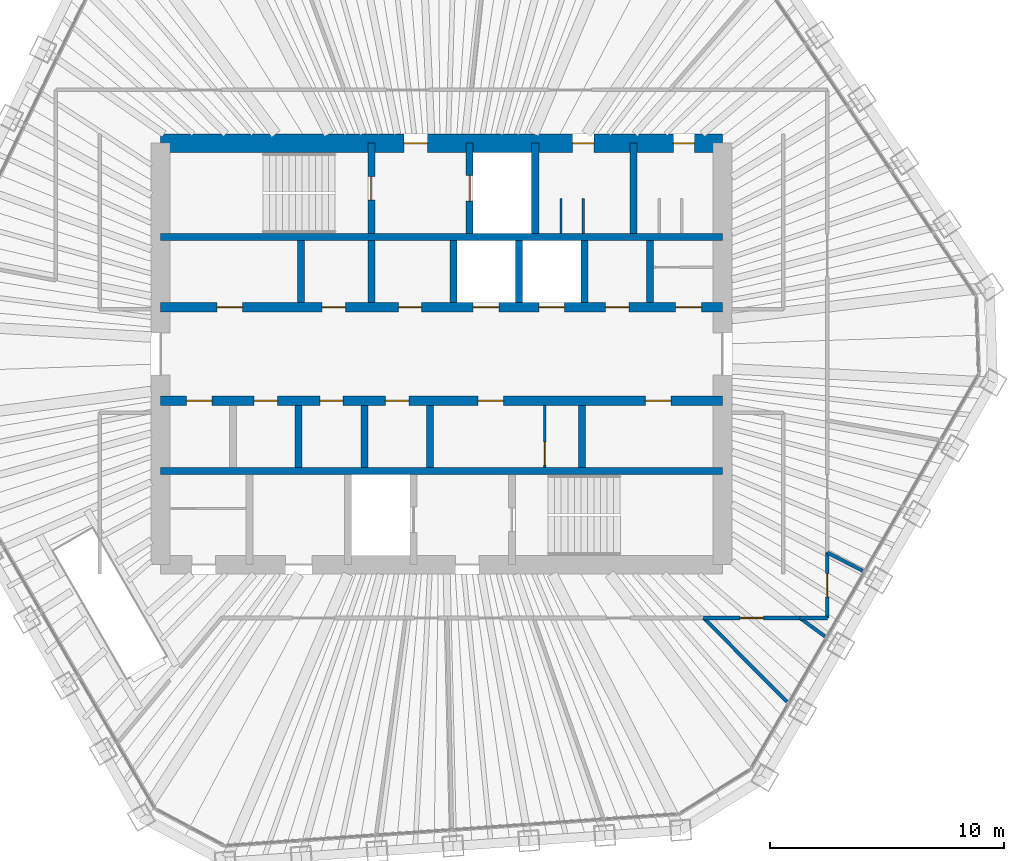
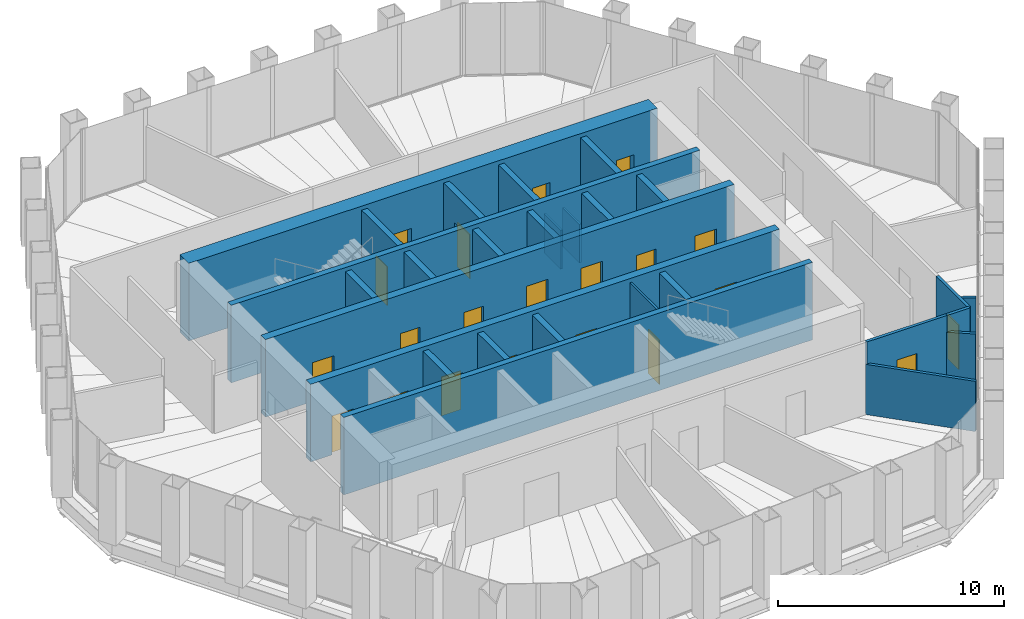
# One storey, part 12 of 14: 28 walls, 21 doors, 21 openings.
"""IFC4 building model written with IfcOpenShell, lengths in metres."""

from ifc_helpers import new_model, si_unit, direction, frame, frame_2d, origin, place, context, subcontext, project, spatial, rectangle, extrude, material, layer, layer_set, type_object, element, fill, save


model = new_model("IFC4")

# Units and contexts
model_context = context("Model", 3, precision=1e-05, world=origin(), true_north=direction((0.0, 1.0)))
body_context = subcontext(model_context, "Body", "Model", "MODEL_VIEW")
ifc_project = project(units=[si_unit("LENGTHUNIT", "METRE"), si_unit("AREAUNIT", "SQUARE_METRE"), si_unit("VOLUMEUNIT", "CUBIC_METRE"), si_unit("PLANEANGLEUNIT", "RADIAN"), si_unit("MASSUNIT", "GRAM", prefix="KILO")], contexts=[model_context])

# Site, building, storey
site_placement = place(None, origin())
site = spatial("IfcSite", under=ifc_project, at=site_placement, CompositionType="ELEMENT")
building_placement = place(site_placement, origin())
building = spatial("IfcBuilding", under=site, at=building_placement, Name="Qingtian Harvest Tower", CompositionType="ELEMENT")
storey_placement = place(building_placement, frame((0.0, 0.0, 333.39990234375)))
storey = spatial("IfcBuildingStorey", under=building, at=storey_placement, Name="L74", CompositionType="ELEMENT", Elevation=333.39990234375)

# Walls
ifc_material_1 = material(Name="Concrete fc' 70 MPa", Category="concrete")
ifc_layer_1 = layer(ifc_material_1, 0.300048828125)
ifc_layer_set_1 = layer_set([ifc_layer_1], Name="Core inner wall RC5 300")
wall_type_1 = type_object("IfcWallType", Name="Core inner wall RC5 300", PredefinedType="SHEAR", material=ifc_layer_set_1)
for number, where, z_axis, x_axis, name in (
    (1, (-12.0, 5.0, 0.0), (0.0, 0.0, 1.0), (1.0, 0.0, 0.0), "Core wall IN5 L74"),
    (2, (-12.0, -5.0, 0.0), (0.0, 0.0, 1.0), (1.0, 0.0, 0.0), "Core wall IS5 L74"),
):
    element("IfcWall", number, at=place(storey_placement, frame(where, z_axis=z_axis, x_axis=x_axis)), inside=storey, type_object=wall_type_1, Name=name, PredefinedType="SHEAR", context=body_context, shape_type="SweptSolid", body=[
        extrude(rectangle(XDim=24.0, YDim=0.300048828125, at=frame_2d((12.0, 0.0))), origin(), (0.0, 0.0, 1.0), 4.2001953125),
    ])

# Wall, openings, doors
ifc_material_2 = material(Name="Concrete fc' 70 MPa", Category="concrete")
ifc_layer_2 = layer(ifc_material_2, 0.39990234375)
ifc_layer_set_2 = layer_set([ifc_layer_2], Name="Core inner web RC6 400")
wall_type_2 = type_object("IfcWallType", Name="Core inner web RC6 400", PredefinedType="SHEAR", material=ifc_layer_set_2)
wall_1_placement = place(storey_placement, frame((-12.0, 2.0, 0.0), z_axis=(0.0, 0.0, 1.0), x_axis=(1.0, 0.0, 0.0)))
wall_1 = element("IfcWall", 3, at=wall_1_placement, inside=storey, type_object=wall_type_2, Name="Core wall IN2 L74", PredefinedType="SHEAR", context=body_context, shape_type="SweptSolid", body=[
    extrude(rectangle(XDim=24.0, YDim=0.39990234375, at=frame_2d((12.0, 0.0))), origin(), (0.0, 0.0, 1.0), 4.2001953125),
])
opening_1_placement = place(wall_1_placement, frame((2.39990234375, 0.0, 0.0)))
opening_1 = element("IfcOpeningElement", 4, at=opening_1_placement, cuts=wall_1, Name="Opening FD4", PredefinedType="OPENING", context=body_context, shape_type="SweptSolid", body=[
    extrude(rectangle(XDim=1.10009765625, YDim=2.10009765625, at=frame_2d((0.550048828125, 1.050048828125))), frame((0.0, 0.2099609375, 0.0), z_axis=(0.0, -1.0, 0.0), x_axis=(1.0, 0.0, 0.0)), (0.0, 0.0, 1.0), 0.419921875),
])
opening_2_placement = place(wall_1_placement, frame((22.0, 0.0, 0.0)))
opening_2 = element("IfcOpeningElement", 5, at=opening_2_placement, cuts=wall_1, Name="Opening FD4", PredefinedType="OPENING", context=body_context, shape_type="SweptSolid", body=[
    extrude(rectangle(XDim=1.10009765625, YDim=2.10009765625, at=frame_2d((0.550048828125, 1.050048828125))), frame((0.0, 0.2099609375, 0.0), z_axis=(0.0, -1.0, 0.0), x_axis=(1.0, 0.0, 0.0)), (0.0, 0.0, 1.0), 0.419921875),
])
opening_3_placement = place(wall_1_placement, frame((10.14990234375, 0.0, 0.0)))
opening_3 = element("IfcOpeningElement", 6, at=opening_3_placement, cuts=wall_1, Name="Opening FD1", PredefinedType="OPENING", context=body_context, shape_type="SweptSolid", body=[
    extrude(rectangle(XDim=1.0, YDim=2.10009765625, at=frame_2d((0.5, 1.050048828125))), frame((0.0, 0.2099609375, 0.0), z_axis=(0.0, -1.0, 0.0), x_axis=(1.0, 0.0, 0.0)), (0.0, 0.0, 1.0), 0.419921875),
])
opening_4_placement = place(wall_1_placement, frame((6.89990234375, 0.0, 0.0)))
opening_4 = element("IfcOpeningElement", 7, at=opening_4_placement, cuts=wall_1, Name="Opening FD1", PredefinedType="OPENING", context=body_context, shape_type="SweptSolid", body=[
    extrude(rectangle(XDim=1.0, YDim=2.10009765625, at=frame_2d((0.5, 1.050048828125))), frame((0.0, 0.2099609375, 0.0), z_axis=(0.0, -1.0, 0.0), x_axis=(1.0, 0.0, 0.0)), (0.0, 0.0, 1.0), 0.419921875),
])
opening_5_placement = place(wall_1_placement, frame((13.35009765625, 0.0, 0.0)))
opening_5 = element("IfcOpeningElement", 8, at=opening_5_placement, cuts=wall_1, Name="Opening LD1", PredefinedType="OPENING", context=body_context, shape_type="SweptSolid", body=[
    extrude(rectangle(XDim=1.10009765625, YDim=2.39990234375, at=frame_2d((0.550048828125, 1.199951171875))), frame((0.0, 0.2099609375, 0.0), z_axis=(0.0, -1.0, 0.0), x_axis=(1.0, 0.0, 0.0)), (0.0, 0.0, 1.0), 0.419921875),
])
opening_6_placement = place(wall_1_placement, frame((16.14990234375, 0.0, 0.0)))
opening_6 = element("IfcOpeningElement", 9, at=opening_6_placement, cuts=wall_1, Name="Opening LD1", PredefinedType="OPENING", context=body_context, shape_type="SweptSolid", body=[
    extrude(rectangle(XDim=1.10009765625, YDim=2.39990234375, at=frame_2d((0.550048828125, 1.199951171875))), frame((0.0, 0.2099609375, 0.0), z_axis=(0.0, -1.0, 0.0), x_axis=(1.0, 0.0, 0.0)), (0.0, 0.0, 1.0), 0.419921875),
])
opening_7_placement = place(wall_1_placement, frame((19.0, 0.0, 0.0)))
opening_7 = element("IfcOpeningElement", 10, at=opening_7_placement, cuts=wall_1, Name="Opening FD1", PredefinedType="OPENING", context=body_context, shape_type="SweptSolid", body=[
    extrude(rectangle(XDim=1.0, YDim=2.10009765625, at=frame_2d((0.5, 1.050048828125))), frame((0.0, 0.2099609375, 0.0), z_axis=(0.0, -1.0, 0.0), x_axis=(1.0, 0.0, 0.0)), (0.0, 0.0, 1.0), 0.419921875),
])
ifc_material_3 = material(Name="Steel-faced door leaf", Category="steel")
door_type_1 = type_object("IfcDoorType", Name="Fire door FD1 single 1 HR", OperationType="SINGLE_SWING_LEFT", PredefinedType="DOOR", material=ifc_material_3)
door_1_placement = place(opening_3_placement, origin())
door_1 = element("IfcDoor", 11, at=door_1_placement, inside=storey, type_object=door_type_1, Name="STA door L74", OperationType="SINGLE_SWING_LEFT", OverallHeight=2.10009765625, OverallWidth=1.0, PredefinedType="DOOR", context=body_context, shape_type="SweptSolid", body=[
    extrude(rectangle(XDim=1.0, YDim=2.10009765625, at=frame_2d((0.5, 1.050048828125))), frame((0.0, 0.02490234375, 0.0), z_axis=(0.0, -1.0, 0.0), x_axis=(1.0, 0.0, 0.0)), (0.0, 0.0, 1.0), 0.050048828125),
])
fill(opening_3, door_1)
door_2_placement = place(opening_4_placement, origin())
door_2 = element("IfcDoor", 12, at=door_2_placement, inside=storey, type_object=door_type_1, Name="Staff WC door L74", OperationType="SINGLE_SWING_LEFT", OverallHeight=2.10009765625, OverallWidth=1.0, PredefinedType="DOOR", context=body_context, shape_type="SweptSolid", body=[
    extrude(rectangle(XDim=1.0, YDim=2.10009765625, at=frame_2d((0.5, 1.050048828125))), frame((0.0, 0.02490234375, 0.0), z_axis=(0.0, -1.0, 0.0), x_axis=(1.0, 0.0, 0.0)), (0.0, 0.0, 1.0), 0.050048828125),
])
fill(opening_4, door_2)
door_3_placement = place(opening_7_placement, origin())
door_3 = element("IfcDoor", 13, at=door_3_placement, inside=storey, type_object=door_type_1, Name="Tool store door L74", OperationType="SINGLE_SWING_LEFT", OverallHeight=2.10009765625, OverallWidth=1.0, PredefinedType="DOOR", context=body_context, shape_type="SweptSolid", body=[
    extrude(rectangle(XDim=1.0, YDim=2.10009765625, at=frame_2d((0.5, 1.050048828125))), frame((0.0, 0.02490234375, 0.0), z_axis=(0.0, -1.0, 0.0), x_axis=(1.0, 0.0, 0.0)), (0.0, 0.0, 1.0), 0.050048828125),
])
fill(opening_7, door_3)
ifc_material_4 = material(Name="Steel-faced door leaf", Category="steel")
door_type_2 = type_object("IfcDoorType", Name="Fire door FD4 single 2 HR", OperationType="SINGLE_SWING_LEFT", PredefinedType="DOOR", material=ifc_material_4)
door_4_placement = place(opening_1_placement, origin())
door_4 = element("IfcDoor", 14, at=door_4_placement, inside=storey, type_object=door_type_2, Name="RA door L74", OperationType="SINGLE_SWING_RIGHT", OverallHeight=2.10009765625, OverallWidth=1.10009765625, PredefinedType="DOOR", context=body_context, shape_type="SweptSolid", body=[
    extrude(rectangle(XDim=1.10009765625, YDim=2.10009765625, at=frame_2d((0.550048828125, 1.050048828125))), frame((0.0, 0.02490234375, 0.0), z_axis=(0.0, -1.0, 0.0), x_axis=(1.0, 0.0, 0.0)), (0.0, 0.0, 1.0), 0.050048828125),
])
fill(opening_1, door_4)
door_5_placement = place(opening_2_placement, origin())
door_5 = element("IfcDoor", 15, at=door_5_placement, inside=storey, type_object=door_type_2, Name="AHU door L74", OperationType="SINGLE_SWING_RIGHT", OverallHeight=2.10009765625, OverallWidth=1.10009765625, PredefinedType="DOOR", context=body_context, shape_type="SweptSolid", body=[
    extrude(rectangle(XDim=1.10009765625, YDim=2.10009765625, at=frame_2d((0.550048828125, 1.050048828125))), frame((0.0, 0.02490234375, 0.0), z_axis=(0.0, -1.0, 0.0), x_axis=(1.0, 0.0, 0.0)), (0.0, 0.0, 1.0), 0.050048828125),
])
fill(opening_2, door_5)
ifc_material_5 = material(Name="Stainless steel lift landing door", Category="steel")
door_type_3 = type_object("IfcDoorType", Name="Lift landing door LD1 1 HR", OperationType="DOUBLE_DOOR_SLIDING", PredefinedType="DOOR", material=ifc_material_5)
door_6_placement = place(opening_5_placement, origin())
door_6 = element("IfcDoor", 16, at=door_6_placement, inside=storey, type_object=door_type_3, Name="PLD1 landing door L74", OperationType="DOUBLE_DOOR_SLIDING", OverallHeight=2.39990234375, OverallWidth=1.10009765625, PredefinedType="DOOR", context=body_context, shape_type="SweptSolid", body=[
    extrude(rectangle(XDim=1.10009765625, YDim=2.39990234375, at=frame_2d((0.550048828125, 1.199951171875))), frame((0.0, 0.02490234375, 0.0), z_axis=(0.0, -1.0, 0.0), x_axis=(1.0, 0.0, 0.0)), (0.0, 0.0, 1.0), 0.050048828125),
])
fill(opening_5, door_6)
door_7_placement = place(opening_6_placement, origin())
door_7 = element("IfcDoor", 17, at=door_7_placement, inside=storey, type_object=door_type_3, Name="PLD2 landing door L74", OperationType="DOUBLE_DOOR_SLIDING", OverallHeight=2.39990234375, OverallWidth=1.10009765625, PredefinedType="DOOR", context=body_context, shape_type="SweptSolid", body=[
    extrude(rectangle(XDim=1.10009765625, YDim=2.39990234375, at=frame_2d((0.550048828125, 1.199951171875))), frame((0.0, 0.02490234375, 0.0), z_axis=(0.0, -1.0, 0.0), x_axis=(1.0, 0.0, 0.0)), (0.0, 0.0, 1.0), 0.050048828125),
])
fill(opening_6, door_7)

wall_2_placement = place(storey_placement, frame((-12.0, -2.0, 0.0), z_axis=(0.0, 0.0, 1.0), x_axis=(1.0, 0.0, 0.0)))
wall_2 = element("IfcWall", 18, at=wall_2_placement, inside=storey, type_object=wall_type_2, Name="Core wall IS2 L74", PredefinedType="SHEAR", context=body_context, shape_type="SweptSolid", body=[
    extrude(rectangle(XDim=24.0, YDim=0.39990234375, at=frame_2d((12.0, 0.0))), origin(), (0.0, 0.0, 1.0), 4.2001953125),
])
opening_8_placement = place(wall_2_placement, frame((1.10009765625, 0.0, 0.0)))
opening_8 = element("IfcOpeningElement", 19, at=opening_8_placement, cuts=wall_2, Name="Opening FD4", PredefinedType="OPENING", context=body_context, shape_type="SweptSolid", body=[
    extrude(rectangle(XDim=1.10009765625, YDim=2.10009765625, at=frame_2d((0.550048828125, 1.050048828125))), frame((0.0, 0.2099609375, 0.0), z_axis=(0.0, -1.0, 0.0), x_axis=(1.0, 0.0, 0.0)), (0.0, 0.0, 1.0), 0.419921875),
])
opening_9_placement = place(wall_2_placement, frame((13.550048828125, 0.0, 0.0)))
opening_9 = element("IfcOpeningElement", 20, at=opening_9_placement, cuts=wall_2, Name="Opening FD4", PredefinedType="OPENING", context=body_context, shape_type="SweptSolid", body=[
    extrude(rectangle(XDim=1.10009765625, YDim=2.10009765625, at=frame_2d((0.550048828125, 1.050048828125))), frame((0.0, 0.2099609375, 0.0), z_axis=(0.0, -1.0, 0.0), x_axis=(1.0, 0.0, 0.0)), (0.0, 0.0, 1.0), 0.419921875),
])
opening_10_placement = place(wall_2_placement, frame((20.699951171875, 0.0, 0.0)))
opening_10 = element("IfcOpeningElement", 21, at=opening_10_placement, cuts=wall_2, Name="Opening FD4", PredefinedType="OPENING", context=body_context, shape_type="SweptSolid", body=[
    extrude(rectangle(XDim=1.10009765625, YDim=2.10009765625, at=frame_2d((0.550048828125, 1.050048828125))), frame((0.0, 0.2099609375, 0.0), z_axis=(0.0, -1.0, 0.0), x_axis=(1.0, 0.0, 0.0)), (0.0, 0.0, 1.0), 0.419921875),
])
opening_11_placement = place(wall_2_placement, frame((4.0, 0.0, 0.0)))
opening_11 = element("IfcOpeningElement", 22, at=opening_11_placement, cuts=wall_2, Name="Opening FD1", PredefinedType="OPENING", context=body_context, shape_type="SweptSolid", body=[
    extrude(rectangle(XDim=1.0, YDim=2.10009765625, at=frame_2d((0.5, 1.050048828125))), frame((0.0, 0.2099609375, 0.0), z_axis=(0.0, -1.0, 0.0), x_axis=(1.0, 0.0, 0.0)), (0.0, 0.0, 1.0), 0.419921875),
])
opening_12_placement = place(wall_2_placement, frame((6.800048828125, 0.0, 0.0)))
opening_12 = element("IfcOpeningElement", 23, at=opening_12_placement, cuts=wall_2, Name="Opening FD1", PredefinedType="OPENING", context=body_context, shape_type="SweptSolid", body=[
    extrude(rectangle(XDim=1.0, YDim=2.10009765625, at=frame_2d((0.5, 1.050048828125))), frame((0.0, 0.2099609375, 0.0), z_axis=(0.0, -1.0, 0.0), x_axis=(1.0, 0.0, 0.0)), (0.0, 0.0, 1.0), 0.419921875),
])
opening_13_placement = place(wall_2_placement, frame((9.60009765625, 0.0, 0.0)))
opening_13 = element("IfcOpeningElement", 24, at=opening_13_placement, cuts=wall_2, Name="Opening FD1", PredefinedType="OPENING", context=body_context, shape_type="SweptSolid", body=[
    extrude(rectangle(XDim=1.0, YDim=2.10009765625, at=frame_2d((0.5, 1.050048828125))), frame((0.0, 0.2099609375, 0.0), z_axis=(0.0, -1.0, 0.0), x_axis=(1.0, 0.0, 0.0)), (0.0, 0.0, 1.0), 0.419921875),
])
door_8_placement = place(opening_11_placement, origin())
door_8 = element("IfcDoor", 25, at=door_8_placement, inside=storey, type_object=door_type_1, Name="Archive store door L74", OperationType="SINGLE_SWING_LEFT", OverallHeight=2.10009765625, OverallWidth=1.0, PredefinedType="DOOR", context=body_context, shape_type="SweptSolid", body=[
    extrude(rectangle(XDim=1.0, YDim=2.10009765625, at=frame_2d((0.5, 1.050048828125))), frame((0.0, 0.02490234375, 0.0), z_axis=(0.0, -1.0, 0.0), x_axis=(1.0, 0.0, 0.0)), (0.0, 0.0, 1.0), 0.050048828125),
])
fill(opening_11, door_8)
door_9_placement = place(opening_12_placement, origin())
door_9 = element("IfcDoor", 26, at=door_9_placement, inside=storey, type_object=door_type_1, Name="Staff WC door L74", OperationType="SINGLE_SWING_LEFT", OverallHeight=2.10009765625, OverallWidth=1.0, PredefinedType="DOOR", context=body_context, shape_type="SweptSolid", body=[
    extrude(rectangle(XDim=1.0, YDim=2.10009765625, at=frame_2d((0.5, 1.050048828125))), frame((0.0, 0.02490234375, 0.0), z_axis=(0.0, -1.0, 0.0), x_axis=(1.0, 0.0, 0.0)), (0.0, 0.0, 1.0), 0.050048828125),
])
fill(opening_12, door_9)
door_10_placement = place(opening_13_placement, origin())
door_10 = element("IfcDoor", 27, at=door_10_placement, inside=storey, type_object=door_type_1, Name="Pantry door L74", OperationType="SINGLE_SWING_LEFT", OverallHeight=2.10009765625, OverallWidth=1.0, PredefinedType="DOOR", context=body_context, shape_type="SweptSolid", body=[
    extrude(rectangle(XDim=1.0, YDim=2.10009765625, at=frame_2d((0.5, 1.050048828125))), frame((0.0, 0.02490234375, 0.0), z_axis=(0.0, -1.0, 0.0), x_axis=(1.0, 0.0, 0.0)), (0.0, 0.0, 1.0), 0.050048828125),
])
fill(opening_13, door_10)
door_11_placement = place(opening_8_placement, origin())
door_11 = element("IfcDoor", 28, at=door_11_placement, inside=storey, type_object=door_type_2, Name="RB door L74", OperationType="SINGLE_SWING_RIGHT", OverallHeight=2.10009765625, OverallWidth=1.10009765625, PredefinedType="DOOR", context=body_context, shape_type="SweptSolid", body=[
    extrude(rectangle(XDim=1.10009765625, YDim=2.10009765625, at=frame_2d((0.550048828125, 1.050048828125))), frame((0.0, 0.02490234375, 0.0), z_axis=(0.0, -1.0, 0.0), x_axis=(1.0, 0.0, 0.0)), (0.0, 0.0, 1.0), 0.050048828125),
])
fill(opening_8, door_11)
door_12_placement = place(opening_9_placement, origin())
door_12 = element("IfcDoor", 29, at=door_12_placement, inside=storey, type_object=door_type_2, Name="ELEC door L74", OperationType="SINGLE_SWING_RIGHT", OverallHeight=2.10009765625, OverallWidth=1.10009765625, PredefinedType="DOOR", context=body_context, shape_type="SweptSolid", body=[
    extrude(rectangle(XDim=1.10009765625, YDim=2.10009765625, at=frame_2d((0.550048828125, 1.050048828125))), frame((0.0, 0.02490234375, 0.0), z_axis=(0.0, -1.0, 0.0), x_axis=(1.0, 0.0, 0.0)), (0.0, 0.0, 1.0), 0.050048828125),
])
fill(opening_9, door_12)
door_13_placement = place(opening_10_placement, origin())
door_13 = element("IfcDoor", 30, at=door_13_placement, inside=storey, type_object=door_type_2, Name="DUCT door L74", OperationType="SINGLE_SWING_LEFT", OverallHeight=2.10009765625, OverallWidth=1.10009765625, PredefinedType="DOOR", context=body_context, shape_type="SweptSolid", body=[
    extrude(rectangle(XDim=1.10009765625, YDim=2.10009765625, at=frame_2d((0.550048828125, 1.050048828125))), frame((0.0, 0.02490234375, 0.0), z_axis=(0.0, -1.0, 0.0), x_axis=(1.0, 0.0, 0.0)), (0.0, 0.0, 1.0), 0.050048828125),
])
fill(opening_10, door_13)

# Wall, opening, door
ifc_material_6 = material(Name="Precast concrete shaft panel", Category="concrete")
ifc_layer_3 = layer(ifc_material_6, 0.300048828125)
ifc_layer_set_3 = layer_set([ifc_layer_3], Name="Core shaft partition SW1 300")
wall_type_3 = type_object("IfcWallType", Name="Core shaft partition SW1 300", PredefinedType="PARTITIONING", material=ifc_layer_set_3)
wall_3_placement = place(storey_placement, frame((-3.0, 5.14990234375, 0.0), z_axis=(0.0, 0.0, 1.0), x_axis=(0.0, 1.0, 0.0)))
wall_3 = element("IfcWall", 31, at=wall_3_placement, inside=storey, type_object=wall_type_3, Name="Core shaft partition XN1 L74", PredefinedType="PARTITIONING", context=body_context, shape_type="SweptSolid", body=[
    extrude(rectangle(XDim=3.85009765625, YDim=0.300048828125, at=frame_2d((1.925048828125, 0.0))), origin(), (0.0, 0.0, 1.0), 3.97998046875),
])
opening_14_placement = place(wall_3_placement, frame((1.425048828125, 0.0, 0.0)))
opening_14 = element("IfcOpeningElement", 32, at=opening_14_placement, cuts=wall_3, Name="Opening FD1", PredefinedType="OPENING", context=body_context, shape_type="SweptSolid", body=[
    extrude(rectangle(XDim=1.0, YDim=2.10009765625, at=frame_2d((0.5, 1.050048828125))), frame((0.0, 0.159912109375, 0.0), z_axis=(0.0, -1.0, 0.0), x_axis=(1.0, 0.0, 0.0)), (0.0, 0.0, 1.0), 0.320068359375),
])
door_14_placement = place(opening_14_placement, origin())
door_14 = element("IfcDoor", 33, at=door_14_placement, inside=storey, type_object=door_type_1, Name="S1 door L74", OperationType="SINGLE_SWING_RIGHT", OverallHeight=2.10009765625, OverallWidth=1.0, PredefinedType="DOOR", context=body_context, shape_type="SweptSolid", body=[
    extrude(rectangle(XDim=1.0, YDim=2.10009765625, at=frame_2d((0.5, 1.050048828125))), frame((0.0, 0.02490234375, 0.0), z_axis=(0.0, -1.0, 0.0), x_axis=(1.0, 0.0, 0.0)), (0.0, 0.0, 1.0), 0.050048828125),
])
fill(opening_14, door_14)

wall_4_placement = place(storey_placement, frame((1.199951171875, 5.14990234375, 0.0), z_axis=(0.0, 0.0, 1.0), x_axis=(0.0, 1.0, 0.0)))
wall_4 = element("IfcWall", 34, at=wall_4_placement, inside=storey, type_object=wall_type_3, Name="Core shaft partition XN2 L74", PredefinedType="PARTITIONING", context=body_context, shape_type="SweptSolid", body=[
    extrude(rectangle(XDim=3.85009765625, YDim=0.300048828125, at=frame_2d((1.925048828125, 0.0))), origin(), (0.0, 0.0, 1.0), 3.97998046875),
])
opening_15_placement = place(wall_4_placement, frame((1.375, 0.0, 0.0)))
opening_15 = element("IfcOpeningElement", 35, at=opening_15_placement, cuts=wall_4, Name="Opening LD1", PredefinedType="OPENING", context=body_context, shape_type="SweptSolid", body=[
    extrude(rectangle(XDim=1.10009765625, YDim=2.39990234375, at=frame_2d((0.550048828125, 1.199951171875))), frame((0.0, 0.159912109375, 0.0), z_axis=(0.0, -1.0, 0.0), x_axis=(1.0, 0.0, 0.0)), (0.0, 0.0, 1.0), 0.320068359375),
])
door_15_placement = place(opening_15_placement, origin())
door_15 = element("IfcDoor", 36, at=door_15_placement, inside=storey, type_object=door_type_3, Name="FL1 landing door L74", OperationType="DOUBLE_DOOR_SLIDING", OverallHeight=2.39990234375, OverallWidth=1.10009765625, PredefinedType="DOOR", context=body_context, shape_type="SweptSolid", body=[
    extrude(rectangle(XDim=1.10009765625, YDim=2.39990234375, at=frame_2d((0.550048828125, 1.199951171875))), frame((0.0, 0.02490234375, 0.0), z_axis=(0.0, -1.0, 0.0), x_axis=(1.0, 0.0, 0.0)), (0.0, 0.0, 1.0), 0.050048828125),
])
fill(opening_15, door_15)

# Walls
for number, where, z_axis, x_axis, name in (
    (37, (4.0, 5.14990234375, 0.0), (0.0, 0.0, 1.0), (0.0, 1.0, 0.0), "Core shaft partition XN3 L74"),
    (38, (8.199951171875, 5.14990234375, 0.0), (0.0, 0.0, 1.0), (0.0, 1.0, 0.0), "Core shaft partition XN4 L74"),
):
    element("IfcWall", number, at=place(storey_placement, frame(where, z_axis=z_axis, x_axis=x_axis)), inside=storey, type_object=wall_type_3, Name=name, PredefinedType="PARTITIONING", context=body_context, shape_type="SweptSolid", body=[
        extrude(rectangle(XDim=3.85009765625, YDim=0.300048828125, at=frame_2d((1.925048828125, 0.0))), origin(), (0.0, 0.0, 1.0), 3.97998046875),
    ])
for number, where, z_axis, x_axis, name in (
    (39, (-6.0, 2.199951171875, 0.0), (0.0, 0.0, 1.0), (0.0, 1.0, 0.0), "Core shaft partition XA1 L74"),
    (40, (-3.0, 2.199951171875, 0.0), (0.0, 0.0, 1.0), (0.0, 1.0, 0.0), "Core shaft partition XA2 L74"),
    (41, (0.5, 2.199951171875, 0.0), (0.0, 0.0, 1.0), (0.0, 1.0, 0.0), "Core shaft partition XA3 L74"),
    (42, (3.300048828125, 2.199951171875, 0.0), (0.0, 0.0, 1.0), (0.0, 1.0, 0.0), "Core shaft partition XA4 L74"),
    (43, (6.10009765625, 2.199951171875, 0.0), (0.0, 0.0, 1.0), (0.0, 1.0, 0.0), "Core shaft partition XA5 L74"),
    (44, (8.89990234375, 2.199951171875, 0.0), (0.0, 0.0, 1.0), (0.0, 1.0, 0.0), "Core shaft partition XA6 L74"),
    (45, (-6.10009765625, -4.85009765625, 0.0), (0.0, 0.0, 1.0), (0.0, 1.0, 0.0), "Core shaft partition XB2 L74"),
    (46, (-3.300048828125, -4.85009765625, 0.0), (0.0, 0.0, 1.0), (0.0, 1.0, 0.0), "Core shaft partition XB3 L74"),
    (47, (-0.5, -4.85009765625, 0.0), (0.0, 0.0, 1.0), (0.0, 1.0, 0.0), "Core shaft partition XB4 L74"),
    (48, (6.0, -4.85009765625, 0.0), (0.0, 0.0, 1.0), (0.0, 1.0, 0.0), "Core shaft partition XB5 L74"),
):
    element("IfcWall", number, at=place(storey_placement, frame(where, z_axis=z_axis, x_axis=x_axis)), inside=storey, type_object=wall_type_3, Name=name, PredefinedType="PARTITIONING", context=body_context, shape_type="SweptSolid", body=[
        extrude(rectangle(XDim=2.650146484375, YDim=0.300048828125, at=frame_2d((1.3251953125, 0.0))), origin(), (0.0, 0.0, 1.0), 3.97998046875),
    ])

# Wall, openings, doors
ifc_material_7 = material(Name="Concrete fc' 70 MPa", Category="concrete")
ifc_layer_4 = layer(ifc_material_7, 0.800048828125)
ifc_layer_set_4 = layer_set([ifc_layer_4], Name="Core wall RC4 800")
wall_type_4 = type_object("IfcWallType", Name="Core wall RC4 800", PredefinedType="SHEAR", material=ifc_layer_set_4)
wall_5_placement = place(storey_placement, frame((-12.0, 9.0, 0.0), z_axis=(0.0, 0.0, 1.0), x_axis=(1.0, 0.0, 0.0)))
wall_5 = element("IfcWall", 49, at=wall_5_placement, inside=storey, type_object=wall_type_4, Name="Core wall CN L74", PredefinedType="SHEAR", context=body_context, shape_type="SweptSolid", body=[
    extrude(rectangle(XDim=24.0, YDim=0.800048828125, at=frame_2d((12.0, 0.0))), origin(), (0.0, 0.0, 1.0), 4.2001953125),
])
opening_16_placement = place(wall_5_placement, frame((10.39990234375, 0.0, 0.0)))
opening_16 = element("IfcOpeningElement", 50, at=opening_16_placement, cuts=wall_5, Name="Opening FD1", PredefinedType="OPENING", context=body_context, shape_type="SweptSolid", body=[
    extrude(rectangle(XDim=1.0, YDim=2.10009765625, at=frame_2d((0.5, 1.050048828125))), frame((0.0, 0.409912109375, 0.0), z_axis=(0.0, -1.0, 0.0), x_axis=(1.0, 0.0, 0.0)), (0.0, 0.0, 1.0), 0.820068359375),
])
opening_17_placement = place(wall_5_placement, frame((17.60009765625, 0.0, 0.0)))
opening_17 = element("IfcOpeningElement", 51, at=opening_17_placement, cuts=wall_5, Name="Opening D1", PredefinedType="OPENING", context=body_context, shape_type="SweptSolid", body=[
    extrude(rectangle(XDim=0.89990234375, YDim=2.10009765625, at=frame_2d((0.449951171875, 1.050048828125))), frame((0.0, 0.409912109375, 0.0), z_axis=(0.0, -1.0, 0.0), x_axis=(1.0, 0.0, 0.0)), (0.0, 0.0, 1.0), 0.820068359375),
])
opening_18_placement = place(wall_5_placement, frame((21.89990234375, 0.0, 0.0)))
opening_18 = element("IfcOpeningElement", 52, at=opening_18_placement, cuts=wall_5, Name="Opening D1", PredefinedType="OPENING", context=body_context, shape_type="SweptSolid", body=[
    extrude(rectangle(XDim=0.89990234375, YDim=2.10009765625, at=frame_2d((0.449951171875, 1.050048828125))), frame((0.0, 0.409912109375, 0.0), z_axis=(0.0, -1.0, 0.0), x_axis=(1.0, 0.0, 0.0)), (0.0, 0.0, 1.0), 0.820068359375),
])
door_16_placement = place(opening_16_placement, origin())
door_16 = element("IfcDoor", 53, at=door_16_placement, inside=storey, type_object=door_type_1, Name="V1 door L74", OperationType="SINGLE_SWING_RIGHT", OverallHeight=2.10009765625, OverallWidth=1.0, PredefinedType="DOOR", context=body_context, shape_type="SweptSolid", body=[
    extrude(rectangle(XDim=1.0, YDim=2.10009765625, at=frame_2d((0.5, 1.050048828125))), frame((0.0, 0.02490234375, 0.0), z_axis=(0.0, -1.0, 0.0), x_axis=(1.0, 0.0, 0.0)), (0.0, 0.0, 1.0), 0.050048828125),
])
fill(opening_16, door_16)
ifc_material_8 = material(Name="Laminated timber door leaf", Category="wood")
door_type_4 = type_object("IfcDoorType", Name="Toilet door D1 single", OperationType="SINGLE_SWING_LEFT", PredefinedType="DOOR", material=ifc_material_8)
door_17_placement = place(opening_17_placement, origin())
door_17 = element("IfcDoor", 54, at=door_17_placement, inside=storey, type_object=door_type_4, Name="WCM door L74", OperationType="SINGLE_SWING_LEFT", OverallHeight=2.10009765625, OverallWidth=0.89990234375, PredefinedType="DOOR", context=body_context, shape_type="SweptSolid", body=[
    extrude(rectangle(XDim=0.89990234375, YDim=2.10009765625, at=frame_2d((0.449951171875, 1.050048828125))), frame((0.0, 0.02490234375, 0.0), z_axis=(0.0, -1.0, 0.0), x_axis=(1.0, 0.0, 0.0)), (0.0, 0.0, 1.0), 0.050048828125),
])
fill(opening_17, door_17)
door_18_placement = place(opening_18_placement, origin())
door_18 = element("IfcDoor", 55, at=door_18_placement, inside=storey, type_object=door_type_4, Name="WCF door L74", OperationType="SINGLE_SWING_LEFT", OverallHeight=2.10009765625, OverallWidth=0.89990234375, PredefinedType="DOOR", context=body_context, shape_type="SweptSolid", body=[
    extrude(rectangle(XDim=0.89990234375, YDim=2.10009765625, at=frame_2d((0.449951171875, 1.050048828125))), frame((0.0, 0.02490234375, 0.0), z_axis=(0.0, -1.0, 0.0), x_axis=(1.0, 0.0, 0.0)), (0.0, 0.0, 1.0), 0.050048828125),
])
fill(opening_18, door_18)

# Wall
ifc_material_9 = material(Name="Gypsum board on steel studs", Category="steel")
ifc_layer_5 = layer(ifc_material_9, 0.14990234375)
ifc_layer_set_5 = layer_set([ifc_layer_5], Name="Partition PT1 150")
wall_type_5 = type_object("IfcWallType", Name="Partition PT1 150", PredefinedType="PARTITIONING", material=ifc_layer_set_5)
wall_6_placement = place(storey_placement, frame((17.98046875, -9.257080078125, 0.0), z_axis=(0.0, 0.0, 1.0), x_axis=(-0.889058145064, 0.457794292991, 0.0)))
element("IfcWall", 56, at=wall_6_placement, inside=storey, type_object=wall_type_5, Name="Print room wall L74", PredefinedType="PARTITIONING", context=body_context, shape_type="SweptSolid", body=[
    extrude(rectangle(XDim=1.693115234375, YDim=0.14990234375, at=frame_2d((0.8466796875, 0.0))), origin(), (0.0, 0.0, 1.0), 2.72021484375),
])

# Wall, opening, door
wall_7_placement = place(storey_placement, frame((16.47509765625, -8.48193359375, 0.0), z_axis=(0.0, 0.0, 1.0), x_axis=(0.0, -1.0, 0.0)))
wall_7 = element("IfcWall", 57, at=wall_7_placement, inside=storey, type_object=wall_type_5, Name="Print room wall L74", PredefinedType="PARTITIONING", context=body_context, shape_type="SweptSolid", body=[
    extrude(rectangle(XDim=2.79296875, YDim=0.14990234375, at=frame_2d((1.396484375, 0.0))), origin(), (0.0, 0.0, 1.0), 3.920166015625),
])
opening_19_placement = place(wall_7_placement, frame((0.896484375, 0.0, 0.0)))
opening_19 = element("IfcOpeningElement", 58, at=opening_19_placement, cuts=wall_7, Name="Opening D2", PredefinedType="OPENING", context=body_context, shape_type="SweptSolid", body=[
    extrude(rectangle(XDim=1.0, YDim=2.39990234375, at=frame_2d((0.5, 1.199951171875))), frame((0.0, 0.0849609375, 0.0), z_axis=(0.0, -1.0, 0.0), x_axis=(1.0, 0.0, 0.0)), (0.0, 0.0, 1.0), 0.169921875),
])
ifc_material_10 = material(Name="Laminated timber door leaf", Category="wood")
door_type_5 = type_object("IfcDoorType", Name="Room door D2 single", OperationType="SINGLE_SWING_LEFT", PredefinedType="DOOR", material=ifc_material_10)
door_19_placement = place(opening_19_placement, origin())
door_19 = element("IfcDoor", 59, at=door_19_placement, inside=storey, type_object=door_type_5, Name="Print room door L74", OperationType="SINGLE_SWING_RIGHT", OverallHeight=2.39990234375, OverallWidth=1.0, PredefinedType="DOOR", context=body_context, shape_type="SweptSolid", body=[
    extrude(rectangle(XDim=1.0, YDim=2.39990234375, at=frame_2d((0.5, 1.199951171875))), frame((0.0, 0.02490234375, 0.0), z_axis=(0.0, -1.0, 0.0), x_axis=(1.0, 0.0, 0.0)), (0.0, 0.0, 1.0), 0.050048828125),
])
fill(opening_19, door_19)

# Walls
wall_8_placement = place(storey_placement, frame((16.47509765625, -11.27490234375, 0.0), z_axis=(0.0, 0.0, 1.0), x_axis=(-1.0, 0.0, 0.0)))
element("IfcWall", 60, at=wall_8_placement, inside=storey, type_object=wall_type_5, Name="Print room wall L74", PredefinedType="PARTITIONING", context=body_context, shape_type="SweptSolid", body=[
    extrude(rectangle(XDim=1.1708984375, YDim=0.14990234375, at=frame_2d((0.58544921875, 0.0))), origin(), (0.0, 0.0, 1.0), 3.920166015625),
])
wall_9_placement = place(storey_placement, frame((16.364990234375, -12.056396484375, 0.0), z_axis=(0.0, 0.0, 1.0), x_axis=(-0.805107064944, 0.593129508604, 0.0)))
element("IfcWall", 61, at=wall_9_placement, inside=storey, type_object=wall_type_5, Name="Store room wall L74", PredefinedType="PARTITIONING", context=body_context, shape_type="SweptSolid", body=[
    extrude(rectangle(XDim=1.317626953125, YDim=0.14990234375, at=frame_2d((0.65869140625, 0.0))), origin(), (0.0, 0.0, 1.0), 3.02001953125),
])

# Wall, opening, door
wall_10_placement = place(storey_placement, frame((15.30419921875, -11.27490234375, 0.0), z_axis=(0.0, 0.0, 1.0), x_axis=(-1.0, 0.0, 0.0)))
wall_10 = element("IfcWall", 62, at=wall_10_placement, inside=storey, type_object=wall_type_5, Name="Store room wall L74", PredefinedType="PARTITIONING", context=body_context, shape_type="SweptSolid", body=[
    extrude(rectangle(XDim=4.110107421875, YDim=0.14990234375, at=frame_2d((2.05517578125, 0.0))), origin(), (0.0, 0.0, 1.0), 3.920166015625),
])
opening_20_placement = place(wall_10_placement, frame((1.55517578125, 0.0, 0.0)))
opening_20 = element("IfcOpeningElement", 63, at=opening_20_placement, cuts=wall_10, Name="Opening D2", PredefinedType="OPENING", context=body_context, shape_type="SweptSolid", body=[
    extrude(rectangle(XDim=1.0, YDim=2.39990234375, at=frame_2d((0.5, 1.199951171875))), frame((0.0, 0.0849609375, 0.0), z_axis=(0.0, -1.0, 0.0), x_axis=(1.0, 0.0, 0.0)), (0.0, 0.0, 1.0), 0.169921875),
])
door_20_placement = place(opening_20_placement, origin())
door_20 = element("IfcDoor", 64, at=door_20_placement, inside=storey, type_object=door_type_5, Name="Store room door L74", OperationType="SINGLE_SWING_RIGHT", OverallHeight=2.39990234375, OverallWidth=1.0, PredefinedType="DOOR", context=body_context, shape_type="SweptSolid", body=[
    extrude(rectangle(XDim=1.0, YDim=2.39990234375, at=frame_2d((0.5, 1.199951171875))), frame((0.0, 0.02490234375, 0.0), z_axis=(0.0, -1.0, 0.0), x_axis=(1.0, 0.0, 0.0)), (0.0, 0.0, 1.0), 0.050048828125),
])
fill(opening_20, door_20)

# Wall
wall_11_placement = place(storey_placement, frame((14.7509765625, -14.857666015625, 0.0), z_axis=(0.0, 0.0, 1.0), x_axis=(-0.704539120613, 0.709665151692, 0.0)))
element("IfcWall", 65, at=wall_11_placement, inside=storey, type_object=wall_type_5, Name="Executive office wall L74", PredefinedType="PARTITIONING", context=body_context, shape_type="SweptSolid", body=[
    extrude(rectangle(XDim=5.048583984375, YDim=0.14990234375, at=frame_2d((2.5244140625, 0.0))), origin(), (0.0, 0.0, 1.0), 2.72021484375),
])

# Wall, opening, door
ifc_material_11 = material(Name="Concrete block partition", Category="concrete")
ifc_layer_6 = layer(ifc_material_11, 0.10009765625)
ifc_layer_set_6 = layer_set([ifc_layer_6], Name="Store partition PT3 100")
wall_type_6 = type_object("IfcWallType", Name="Store partition PT3 100", PredefinedType="PARTITIONING", material=ifc_layer_set_6)
wall_12_placement = place(storey_placement, frame((4.39990234375, -4.85009765625, 0.0), z_axis=(0.0, 0.0, 1.0), x_axis=(0.0, 1.0, 0.0)))
wall_12 = element("IfcWall", 66, at=wall_12_placement, inside=storey, type_object=wall_type_6, Name="Comms room wall L74", PredefinedType="PARTITIONING", context=body_context, shape_type="SweptSolid", body=[
    extrude(rectangle(XDim=2.650146484375, YDim=0.10009765625, at=frame_2d((1.3251953125, 0.0))), origin(), (0.0, 0.0, 1.0), 3.97998046875),
])
opening_21_placement = place(wall_12_placement, frame((0.10009765625, 0.0, 0.0)))
opening_21 = element("IfcOpeningElement", 67, at=opening_21_placement, cuts=wall_12, Name="Opening D2", PredefinedType="OPENING", context=body_context, shape_type="SweptSolid", body=[
    extrude(rectangle(XDim=1.0, YDim=2.39990234375, at=frame_2d((0.5, 1.199951171875))), frame((0.0, 0.06005859375, 0.0), z_axis=(0.0, -1.0, 0.0), x_axis=(1.0, 0.0, 0.0)), (0.0, 0.0, 1.0), 0.1201171875),
])
door_21_placement = place(opening_21_placement, origin())
door_21 = element("IfcDoor", 68, at=door_21_placement, inside=storey, type_object=door_type_5, Name="Comms room door L74", OperationType="SINGLE_SWING_RIGHT", OverallHeight=2.39990234375, OverallWidth=1.0, PredefinedType="DOOR", context=body_context, shape_type="SweptSolid", body=[
    extrude(rectangle(XDim=1.0, YDim=2.39990234375, at=frame_2d((0.5, 1.199951171875))), frame((0.0, 0.02490234375, 0.0), z_axis=(0.0, -1.0, 0.0), x_axis=(1.0, 0.0, 0.0)), (0.0, 0.0, 1.0), 0.050048828125),
])
fill(opening_21, door_21)

# Walls
ifc_material_12 = material(Name="Compact laminate cubicle partition", Category="plastic")
ifc_layer_7 = layer(ifc_material_12, 0.10009765625)
ifc_layer_set_7 = layer_set([ifc_layer_7], Name="WC cubicle partition WP1 100")
wall_type_7 = type_object("IfcWallType", Name="WC cubicle partition WP1 100", PredefinedType="PARTITIONING", material=ifc_layer_set_7)
for number, where, z_axis, x_axis, name in (
    (69, (5.10009765625, 5.14990234375, 0.0), (0.0, 0.0, 1.0), (0.0, 1.0, 0.0), "WC cubicle partition WCM L74"),
    (70, (6.050048828125, 5.14990234375, 0.0), (0.0, 0.0, 1.0), (0.0, 1.0, 0.0), "WC cubicle partition WCM L74"),
):
    element("IfcWall", number, at=place(storey_placement, frame(where, z_axis=z_axis, x_axis=x_axis)), inside=storey, type_object=wall_type_7, Name=name, PredefinedType="PARTITIONING", context=body_context, shape_type="SweptSolid", body=[
        extrude(rectangle(XDim=1.5, YDim=0.10009765625, at=frame_2d((0.75, 0.0))), origin(), (0.0, 0.0, 1.0), 2.10009765625),
    ])

save(model, "model.ifc")
